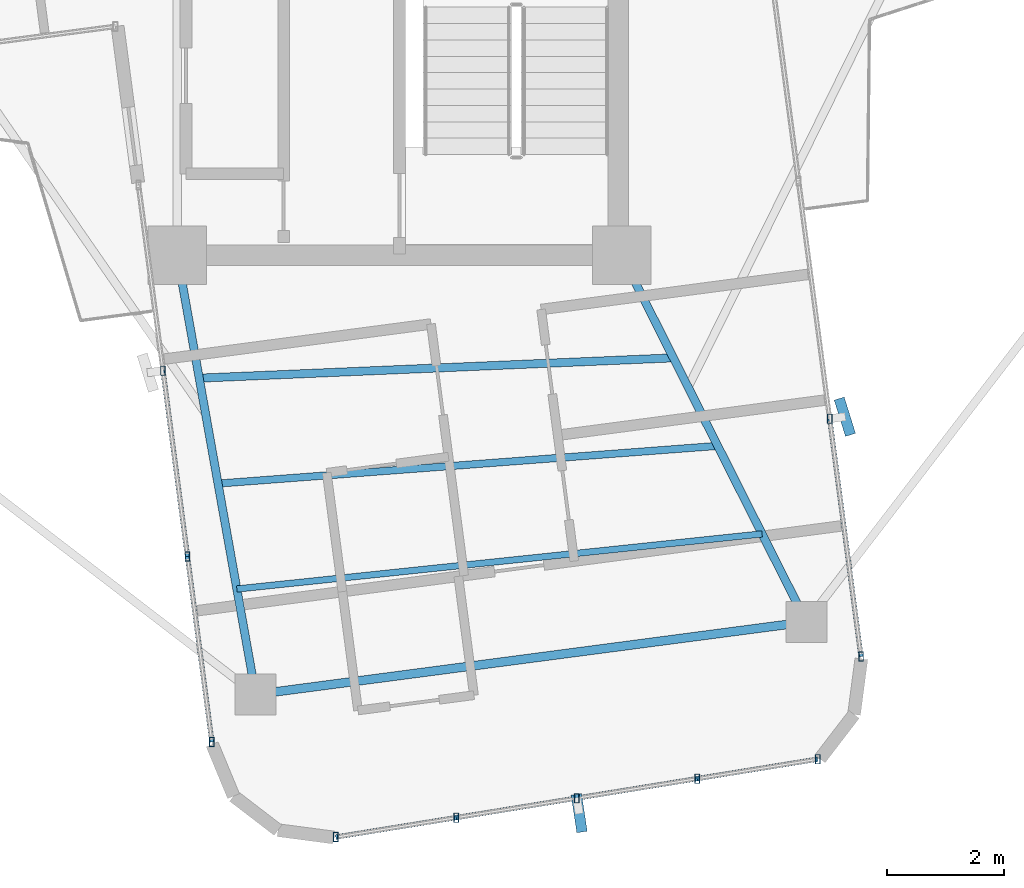
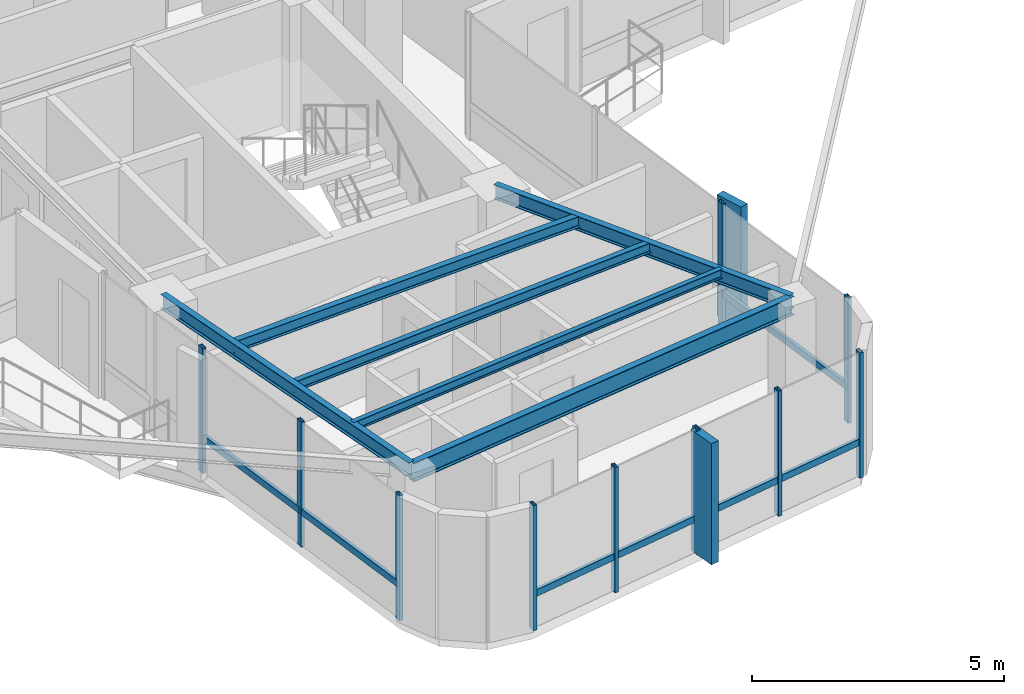
# One storey, part 4 of 22: 19 members, 6 beams, 3 elements without a shape of their own.
"""IFC4 building model written with IfcOpenShell, lengths in metres."""

from ifc_helpers import new_model, si_unit, direction, frame, origin, origin_2d, place, context, subcontext, project, spatial, rectangle, hollow_rectangle, i_section, extrude, source, transform, mapped, material, material_profile, profile_set, type_object, element, aggregate, save


model = new_model("IFC4")

# Units and contexts
model_context = context("Model", 3, precision=1e-05, world=origin(), true_north=direction((0.0, 1.0)))
body_context = subcontext(model_context, "Body", "Model", "MODEL_VIEW")
ifc_project = project(units=[si_unit("LENGTHUNIT", "METRE"), si_unit("AREAUNIT", "SQUARE_METRE"), si_unit("VOLUMEUNIT", "CUBIC_METRE"), si_unit("PLANEANGLEUNIT", "RADIAN"), si_unit("MASSUNIT", "GRAM", prefix="KILO")], contexts=[model_context])

# Site, building, storey
site_placement = place(None, origin())
site = spatial("IfcSite", under=ifc_project, at=site_placement, CompositionType="ELEMENT")
building_placement = place(site_placement, origin())
building = spatial("IfcBuilding", under=site, at=building_placement, Name="Sahyath Konkavel Grand Hotel", CompositionType="ELEMENT")
storey_placement = place(building_placement, frame((0.0, 0.0, 261.25)))
storey = spatial("IfcBuildingStorey", under=building, at=storey_placement, Name="L73", CompositionType="ELEMENT", Elevation=261.25)

# Beams
ifc_material_1 = material(Name="Steel E350", Category="steel")
ifc_material_profile_1 = material_profile(ifc_material_1, i_section(OverallWidth=0.139892578125, OverallDepth=0.35009765625, WebThickness=0.008056640625, FlangeThickness=0.01416015625, FilletRadius=0.013916015625, at=origin_2d()), Name="ISMB 350")
ifc_profile_set_1 = profile_set([ifc_material_profile_1], Name="Steel E350")
beam_type_1 = type_object("IfcBeamType", Name="BM-ISMB350", PredefinedType="BEAM", material=ifc_profile_set_1)
shared_shape_1 = source(origin(), body_context, "Body", "SweptSolid", [
    extrude(i_section(OverallWidth=0.139892578125, OverallDepth=0.35009765625, WebThickness=0.008056640625, FlangeThickness=0.01416015625, FilletRadius=0.013916015625, at=origin_2d()), origin(), (0.0, 0.0, 1.0), 7.631103515625),
])
beam_1_placement = place(storey_placement, frame((-3.800048828125, -10.199951171875, 2.85498046875), z_axis=(0.175734167088, -0.984437658015, 0.0), x_axis=(0.984437658015, 0.175734167088, 0.0)))
element("IfcBeam", 1, at=beam_1_placement, inside=storey, type_object=beam_type_1, Name="L73 Cruciform Radial Girder SA", PredefinedType="BEAM", context=body_context, shape_type="MappedRepresentation", body=[
    mapped(shared_shape_1, transform((0.0, 0.0, 0.0), scale=1.0)),
])
shared_shape_2 = source(origin(), body_context, "Body", "SweptSolid", [
    extrude(i_section(OverallWidth=0.139892578125, OverallDepth=0.35009765625, WebThickness=0.008056640625, FlangeThickness=0.01416015625, FilletRadius=0.013916015625, at=origin_2d()), origin(), (0.0, 0.0, 1.0), 7.0234375),
])
beam_2_placement = place(storey_placement, frame((3.800048828125, -10.199951171875, 2.85498046875), z_axis=(0.449881274382, -0.893088371305, 0.0), x_axis=(0.893088371305, 0.449881274382, 0.0)))
element("IfcBeam", 2, at=beam_2_placement, inside=storey, type_object=beam_type_1, Name="L73 Cruciform Radial Girder SB", PredefinedType="BEAM", context=body_context, shape_type="MappedRepresentation", body=[
    mapped(shared_shape_2, transform((0.0, 0.0, 0.0), scale=1.0)),
])
ifc_material_profile_2 = material_profile(ifc_material_1, i_section(OverallWidth=0.14990234375, OverallDepth=0.449951171875, WebThickness=0.009521484375, FlangeThickness=0.017333984375, FilletRadius=0.014892578125, at=origin_2d()), Name="ISMB 450")
ifc_profile_set_2 = profile_set([ifc_material_profile_2], Name="Steel E350")
beam_type_2 = type_object("IfcBeamType", Name="BM-ISMB450", PredefinedType="BEAM", material=ifc_profile_set_2)
shared_shape_3 = source(origin(), body_context, "Body", "SweptSolid", [
    extrude(i_section(OverallWidth=0.14990234375, OverallDepth=0.449951171875, WebThickness=0.009521484375, FlangeThickness=0.017333984375, FilletRadius=0.014892578125, at=origin_2d()), origin(), (0.0, 0.0, 1.0), 9.5),
])
beam_3_placement = place(storey_placement, frame((-2.458984375, -17.71240234375, 2.804931640625), z_axis=(0.991444933556, 0.130525643939, 0.0), x_axis=(-0.130525643939, 0.991444933556, 0.0)))
element("IfcBeam", 3, at=beam_3_placement, inside=storey, type_object=beam_type_2, Name="L73 Wing Tip Edge Beam S", PredefinedType="BEAM", context=body_context, shape_type="MappedRepresentation", body=[
    mapped(shared_shape_3, transform((0.0, 0.0, 0.0), scale=1.0)),
])
ifc_material_profile_3 = material_profile(ifc_material_1, i_section(OverallWidth=0.139892578125, OverallDepth=0.27490234375, WebThickness=0.00634765625, FlangeThickness=0.0087890625, FilletRadius=0.012939453125, at=origin_2d()), Name="ISLB 275")
ifc_profile_set_3 = profile_set([ifc_material_profile_3], Name="Steel E350")
beam_type_3 = type_object("IfcBeamType", Name="BM-ISLB275", PredefinedType="BEAM", material=ifc_profile_set_3)
shared_shape_4 = source(origin(), body_context, "Body", "SweptSolid", [
    extrude(i_section(OverallWidth=0.139892578125, OverallDepth=0.27490234375, WebThickness=0.00634765625, FlangeThickness=0.0087890625, FilletRadius=0.012939453125, at=origin_2d()), origin(), (0.0, 0.0, 1.0), 8.11669921875),
])
beam_4_placement = place(storey_placement, frame((-3.424560546875, -12.303466796875, 2.892578125), z_axis=(0.999084879956, 0.042771516718, 0.0), x_axis=(-0.042771516718, 0.999084879956, 0.0)))
element("IfcBeam", 4, at=beam_4_placement, inside=storey, type_object=beam_type_3, Name="L73 Secondary Floor Beam S-1", PredefinedType="BEAM", context=body_context, shape_type="MappedRepresentation", body=[
    mapped(shared_shape_4, transform((0.0, 0.0, 0.0), scale=1.0)),
])
ifc_material_profile_4 = material_profile(ifc_material_1, i_section(OverallWidth=0.125, OverallDepth=0.25, WebThickness=0.0068359375, FlangeThickness=0.012451171875, FilletRadius=0.012939453125, at=origin_2d()), Name="ISMB 250")
ifc_profile_set_4 = profile_set([ifc_material_profile_4], Name="Steel E350")
beam_type_4 = type_object("IfcBeamType", Name="BM-ISMB250", PredefinedType="BEAM", material=ifc_profile_set_4)
shared_shape_5 = source(origin(), body_context, "Body", "SweptSolid", [
    extrude(i_section(OverallWidth=0.125, OverallDepth=0.25, WebThickness=0.0068359375, FlangeThickness=0.012451171875, FilletRadius=0.012939453125, at=origin_2d()), origin(), (0.0, 0.0, 1.0), 8.570068359375),
])
beam_5_placement = place(storey_placement, frame((-3.102783203125, -14.1064453125, 2.905029296875), z_axis=(0.997165854664, 0.075234688098, 0.0), x_axis=(-0.075234688098, 0.997165854664, 0.0)))
element("IfcBeam", 5, at=beam_5_placement, inside=storey, type_object=beam_type_4, Name="L73 Secondary Floor Beam S-2", PredefinedType="BEAM", context=body_context, shape_type="MappedRepresentation", body=[
    mapped(shared_shape_5, transform((0.0, 0.0, 0.0), scale=1.0)),
])
ifc_material_profile_5 = material_profile(ifc_material_1, i_section(OverallWidth=0.110107421875, OverallDepth=0.22509765625, WebThickness=0.006591796875, FlangeThickness=0.01171875, FilletRadius=0.011962890625, at=origin_2d()), Name="ISMB 225")
ifc_profile_set_5 = profile_set([ifc_material_profile_5], Name="Steel E350")
beam_type_5 = type_object("IfcBeamType", Name="BM-ISMB225", PredefinedType="BEAM", material=ifc_profile_set_5)
shared_shape_6 = source(origin(), body_context, "Body", "SweptSolid", [
    extrude(i_section(OverallWidth=0.110107421875, OverallDepth=0.22509765625, WebThickness=0.006591796875, FlangeThickness=0.01171875, FilletRadius=0.011962890625, at=origin_2d()), origin(), (0.0, 0.0, 1.0), 9.03173828125),
])
beam_6_placement = place(storey_placement, frame((-2.781005859375, -15.909423828125, 2.91748046875), z_axis=(0.99454153435, 0.104341441688, 0.0), x_axis=(-0.104341441688, 0.99454153435, 0.0)))
element("IfcBeam", 6, at=beam_6_placement, inside=storey, type_object=beam_type_5, Name="L73 Secondary Floor Beam S-3", PredefinedType="BEAM", context=body_context, shape_type="MappedRepresentation", body=[
    mapped(shared_shape_6, transform((0.0, 0.0, 0.0), scale=1.0)),
])

# Curtain wall, members
ifc_material_2 = material(Name="Anodised Bronze Aluminium & Low-E Glazing", Category="aluminium")
curtain_wall_type = type_object("IfcCurtainWallType", Name="CW-ZONE4", PredefinedType="NOTDEFINED", material=ifc_material_2)
curtain_wall_1_placement = place(storey_placement, origin())
curtain_wall_1 = element("IfcCurtainWall", 7, at=curtain_wall_1_placement, inside=storey, type_object=curtain_wall_type, Name="L73 Unitised Curtain Wall F24", PredefinedType="NOTDEFINED")
ifc_material_3 = material(Name="Anodised Bronze Aluminium", Category="aluminium")
ifc_material_profile_6 = material_profile(ifc_material_3, hollow_rectangle(XDim=0.080078125, YDim=0.159912109375, WallThickness=0.006103515625, at=origin_2d()), Name="RHS 160x80x6")
ifc_profile_set_6 = profile_set([ifc_material_profile_6], Name="Anodised Bronze Aluminium")
member_type_1 = type_object("IfcMemberType", Name="CW-MUL-160", PredefinedType="MULLION", material=ifc_profile_set_6)
shared_shape_7 = source(origin(), body_context, "Body", "SweptSolid", [
    extrude(hollow_rectangle(XDim=0.080078125, YDim=0.159912109375, WallThickness=0.006103515625, at=origin_2d()), origin(), (0.0, 0.0, 1.0), 3.030029296875),
])
member_1_placement = place(storey_placement, frame((-4.04541015625, -12.175537109375, 0.0), z_axis=(0.0, 0.0, 1.0), x_axis=(1.0, 0.0, 0.0)))
member_1 = element("IfcMember", 8, at=member_1_placement, type_object=member_type_1, Name="L73 Curtain Wall Mullion F24-1", PredefinedType="MULLION", context=body_context, shape_type="MappedRepresentation", body=[
    mapped(shared_shape_7, transform((0.0, 0.0, 0.0), scale=1.0)),
])
member_2_placement = place(storey_placement, frame((-3.627197265625, -15.351318359375, 0.0), z_axis=(0.0, 0.0, 1.0), x_axis=(1.0, 0.0, 0.0)))
member_2 = element("IfcMember", 9, at=member_2_placement, type_object=member_type_1, Name="L73 Curtain Wall Mullion F24-2", PredefinedType="MULLION", context=body_context, shape_type="MappedRepresentation", body=[
    mapped(shared_shape_7, transform((0.0, 0.0, 0.0), scale=1.0)),
])
member_3_placement = place(storey_placement, frame((-3.208984375, -18.52734375, 0.0), z_axis=(0.0, 0.0, 1.0), x_axis=(1.0, 0.0, 0.0)))
member_3 = element("IfcMember", 10, at=member_3_placement, type_object=member_type_1, Name="L73 Curtain Wall Mullion F24-3", PredefinedType="MULLION", context=body_context, shape_type="MappedRepresentation", body=[
    mapped(shared_shape_7, transform((0.0, 0.0, 0.0), scale=1.0)),
])

curtain_wall_2_placement = place(storey_placement, origin())
curtain_wall_2 = element("IfcCurtainWall", 11, at=curtain_wall_2_placement, inside=storey, type_object=curtain_wall_type, Name="L73 Unitised Curtain Wall F28", PredefinedType="NOTDEFINED")
member_4_placement = place(storey_placement, frame((-1.0888671875, -20.1533203125, 0.0), z_axis=(0.0, 0.0, 1.0), x_axis=(1.0, 0.0, 0.0)))
member_4 = element("IfcMember", 12, at=member_4_placement, type_object=member_type_1, Name="L73 Curtain Wall Mullion F28-0", PredefinedType="MULLION", context=body_context, shape_type="MappedRepresentation", body=[
    mapped(shared_shape_7, transform((0.0, 0.0, 0.0), scale=1.0)),
])
member_5_placement = place(storey_placement, frame((0.9716796875, -19.8203125, 0.0), z_axis=(0.0, 0.0, 1.0), x_axis=(1.0, 0.0, 0.0)))
member_5 = element("IfcMember", 13, at=member_5_placement, type_object=member_type_1, Name="L73 Curtain Wall Mullion F28-1", PredefinedType="MULLION", context=body_context, shape_type="MappedRepresentation", body=[
    mapped(shared_shape_7, transform((0.0, 0.0, 0.0), scale=1.0)),
])
member_6_placement = place(storey_placement, frame((3.031982421875, -19.487060546875, 0.0), z_axis=(0.0, 0.0, 1.0), x_axis=(1.0, 0.0, 0.0)))
member_6 = element("IfcMember", 14, at=member_6_placement, type_object=member_type_1, Name="L73 Curtain Wall Mullion F28-2", PredefinedType="MULLION", context=body_context, shape_type="MappedRepresentation", body=[
    mapped(shared_shape_7, transform((0.0, 0.0, 0.0), scale=1.0)),
])
member_7_placement = place(storey_placement, frame((5.09228515625, -19.15380859375, 0.0), z_axis=(0.0, 0.0, 1.0), x_axis=(1.0, 0.0, 0.0)))
member_7 = element("IfcMember", 15, at=member_7_placement, type_object=member_type_1, Name="L73 Curtain Wall Mullion F28-3", PredefinedType="MULLION", context=body_context, shape_type="MappedRepresentation", body=[
    mapped(shared_shape_7, transform((0.0, 0.0, 0.0), scale=1.0)),
])
member_8_placement = place(storey_placement, frame((7.15283203125, -18.82080078125, 0.0), z_axis=(0.0, 0.0, 1.0), x_axis=(1.0, 0.0, 0.0)))
member_8 = element("IfcMember", 16, at=member_8_placement, type_object=member_type_1, Name="L73 Curtain Wall Mullion F28-4", PredefinedType="MULLION", context=body_context, shape_type="MappedRepresentation", body=[
    mapped(shared_shape_7, transform((0.0, 0.0, 0.0), scale=1.0)),
])

curtain_wall_3_placement = place(storey_placement, origin())
curtain_wall_3 = element("IfcCurtainWall", 17, at=curtain_wall_3_placement, inside=storey, type_object=curtain_wall_type, Name="L73 Unitised Curtain Wall F31", PredefinedType="NOTDEFINED")
member_9_placement = place(storey_placement, frame((7.89501953125, -17.0654296875, 0.0), z_axis=(0.0, 0.0, 1.0), x_axis=(1.0, 0.0, 0.0)))
member_9 = element("IfcMember", 18, at=member_9_placement, type_object=member_type_1, Name="L73 Curtain Wall Mullion F31-0", PredefinedType="MULLION", context=body_context, shape_type="MappedRepresentation", body=[
    mapped(shared_shape_7, transform((0.0, 0.0, 0.0), scale=1.0)),
])
member_10_placement = place(storey_placement, frame((7.359619140625, -12.997314453125, 0.0), z_axis=(0.0, 0.0, 1.0), x_axis=(1.0, 0.0, 0.0)))
member_10 = element("IfcMember", 19, at=member_10_placement, type_object=member_type_1, Name="L73 Curtain Wall Mullion F31-1", PredefinedType="MULLION", context=body_context, shape_type="MappedRepresentation", body=[
    mapped(shared_shape_7, transform((0.0, 0.0, 0.0), scale=1.0)),
])

# Member
ifc_material_4 = material(Name="Warm Buff Sandstone Cladding on Concrete C50/60", Category="masonry")
ifc_material_profile_7 = material_profile(ifc_material_4, rectangle(XDim=0.179931640625, YDim=0.64990234375, at=origin_2d()), Name="FIN 180x650")
ifc_profile_set_7 = profile_set([ifc_material_profile_7], Name="Warm Buff Sandstone Cladding on Concrete C50/60")
member_type_2 = type_object("IfcMemberType", Name="FIN-SANDSTONE-650", PredefinedType="MULLION", material=ifc_profile_set_7)
shared_shape_8 = source(origin(), body_context, "Body", "SweptSolid", [
    extrude(rectangle(XDim=0.179931640625, YDim=0.64990234375, at=origin_2d()), origin(), (0.0, 0.0, 1.0), 2.929931640625),
])
member_11_placement = place(storey_placement, frame((3.073486328125, -19.74365234375, 0.050048828125), z_axis=(0.0, 0.0, 1.0), x_axis=(0.988572951285, 0.150743225348, 0.0)))
member_11 = element("IfcMember", 20, at=member_11_placement, type_object=member_type_2, Name="L73 Sandstone Vertical Solar Fin FIN F28-2", PredefinedType="MULLION", context=body_context, shape_type="MappedRepresentation", body=[
    mapped(shared_shape_8, transform((0.0, 0.0, 0.0), scale=1.0)),
])

member_12_placement = place(storey_placement, frame((7.6171875, -12.96337890625, 0.050048828125), z_axis=(0.0, 0.0, 1.0), x_axis=(0.954812686667, 0.297208232354, 0.0)))
member_12 = element("IfcMember", 21, at=member_12_placement, type_object=member_type_2, Name="L73 Sandstone Vertical Solar Fin FIN F31-1", PredefinedType="MULLION", context=body_context, shape_type="MappedRepresentation", body=[
    mapped(shared_shape_8, transform((0.0, 0.0, 0.0), scale=1.0)),
])

ifc_material_profile_8 = material_profile(ifc_material_3, hollow_rectangle(XDim=0.080078125, YDim=0.159912109375, WallThickness=0.006103515625, at=origin_2d()), Name="RHS 160x80x6")
ifc_profile_set_8 = profile_set([ifc_material_profile_8], Name="Anodised Bronze Aluminium")
member_type_3 = type_object("IfcMemberType", Name="CW-TRN-160", PredefinedType="USERDEFINED", material=ifc_profile_set_8)
shared_shape_9 = source(origin(), body_context, "Body", "SweptSolid", [
    extrude(hollow_rectangle(XDim=0.080078125, YDim=0.159912109375, WallThickness=0.006103515625, at=origin_2d()), origin(), (0.0, 0.0, 1.0), 3.203369140625),
])
member_13_placement = place(storey_placement, frame((-3.627197265625, -15.351318359375, 0.85009765625), z_axis=(0.130551112835, -0.991441580194, 0.0), x_axis=(0.991441580194, 0.130551112835, 0.0)))
member_13 = element("IfcMember", 22, at=member_13_placement, type_object=member_type_3, Name="L73 Curtain Wall Transom F24-2-spandrel", ObjectType="TRANSOM", PredefinedType="USERDEFINED", context=body_context, shape_type="MappedRepresentation", body=[
    mapped(shared_shape_9, transform((0.0, 0.0, 0.0), scale=1.0)),
])

shared_shape_10 = source(origin(), body_context, "Body", "SweptSolid", [
    extrude(hollow_rectangle(XDim=0.080078125, YDim=0.159912109375, WallThickness=0.006103515625, at=origin_2d()), origin(), (0.0, 0.0, 1.0), 3.203125),
])
member_14_placement = place(storey_placement, frame((-4.04541015625, -12.175537109375, 0.85009765625), z_axis=(0.13056097798, -0.991440281121, 0.0), x_axis=(0.991440281121, 0.13056097798, 0.0)))
member_14 = element("IfcMember", 23, at=member_14_placement, type_object=member_type_3, Name="L73 Curtain Wall Transom F24-1-spandrel", ObjectType="TRANSOM", PredefinedType="USERDEFINED", context=body_context, shape_type="MappedRepresentation", body=[
    mapped(shared_shape_10, transform((0.0, 0.0, 0.0), scale=1.0)),
])

aggregate(curtain_wall_1, [member_1, member_2, member_3, member_14, member_13])

shared_shape_11 = source(origin(), body_context, "Body", "SweptSolid", [
    extrude(hollow_rectangle(XDim=0.080078125, YDim=0.159912109375, WallThickness=0.006103515625, at=origin_2d()), origin(), (0.0, 0.0, 1.0), 2.08740234375),
])
member_15_placement = place(storey_placement, frame((-1.0888671875, -20.1533203125, 0.85009765625), z_axis=(0.98719124923, 0.159541334591, 0.0), x_axis=(-0.159541334591, 0.98719124923, 0.0)))
member_15 = element("IfcMember", 24, at=member_15_placement, type_object=member_type_3, Name="L73 Curtain Wall Transom F28-0-spandrel", ObjectType="TRANSOM", PredefinedType="USERDEFINED", context=body_context, shape_type="MappedRepresentation", body=[
    mapped(shared_shape_11, transform((0.0, 0.0, 0.0), scale=1.0)),
])

member_16_placement = place(storey_placement, frame((5.09228515625, -19.15380859375, 0.85009765625), z_axis=(0.98719124923, 0.159541334591, 0.0), x_axis=(-0.159541334591, 0.98719124923, 0.0)))
member_16 = element("IfcMember", 25, at=member_16_placement, type_object=member_type_3, Name="L73 Curtain Wall Transom F28-3-spandrel", ObjectType="TRANSOM", PredefinedType="USERDEFINED", context=body_context, shape_type="MappedRepresentation", body=[
    mapped(shared_shape_11, transform((0.0, 0.0, 0.0), scale=1.0)),
])

shared_shape_12 = source(origin(), body_context, "Body", "SweptSolid", [
    extrude(hollow_rectangle(XDim=0.080078125, YDim=0.159912109375, WallThickness=0.006103515625, at=origin_2d()), origin(), (0.0, 0.0, 1.0), 2.087158203125),
])
member_17_placement = place(storey_placement, frame((0.9716796875, -19.8203125, 0.85009765625), z_axis=(0.98716983924, 0.159673756436, 0.0), x_axis=(-0.159673756436, 0.98716983924, 0.0)))
member_17 = element("IfcMember", 26, at=member_17_placement, type_object=member_type_3, Name="L73 Curtain Wall Transom F28-1-spandrel", ObjectType="TRANSOM", PredefinedType="USERDEFINED", context=body_context, shape_type="MappedRepresentation", body=[
    mapped(shared_shape_12, transform((0.0, 0.0, 0.0), scale=1.0)),
])

member_18_placement = place(storey_placement, frame((3.031982421875, -19.487060546875, 0.85009765625), z_axis=(0.98716983924, 0.159673756436, 0.0), x_axis=(-0.159673756436, 0.98716983924, 0.0)))
member_18 = element("IfcMember", 27, at=member_18_placement, type_object=member_type_3, Name="L73 Curtain Wall Transom F28-2-spandrel", ObjectType="TRANSOM", PredefinedType="USERDEFINED", context=body_context, shape_type="MappedRepresentation", body=[
    mapped(shared_shape_12, transform((0.0, 0.0, 0.0), scale=1.0)),
])

aggregate(curtain_wall_2, [member_4, member_5, member_6, member_11, member_7, member_8, member_15, member_17, member_18, member_16])

shared_shape_13 = source(origin(), body_context, "Body", "SweptSolid", [
    extrude(hollow_rectangle(XDim=0.080078125, YDim=0.159912109375, WallThickness=0.006103515625, at=origin_2d()), origin(), (0.0, 0.0, 1.0), 4.103271484375),
])
member_19_placement = place(storey_placement, frame((7.89501953125, -17.0654296875, 0.85009765625), z_axis=(-0.130483756275, 0.991450447248, 0.0), x_axis=(-0.991450447248, -0.130483756275, 0.0)))
member_19 = element("IfcMember", 28, at=member_19_placement, type_object=member_type_3, Name="L73 Curtain Wall Transom F31-0-spandrel", ObjectType="TRANSOM", PredefinedType="USERDEFINED", context=body_context, shape_type="MappedRepresentation", body=[
    mapped(shared_shape_13, transform((0.0, 0.0, 0.0), scale=1.0)),
])

aggregate(curtain_wall_3, [member_9, member_10, member_12, member_19])

save(model, "model.ifc")
